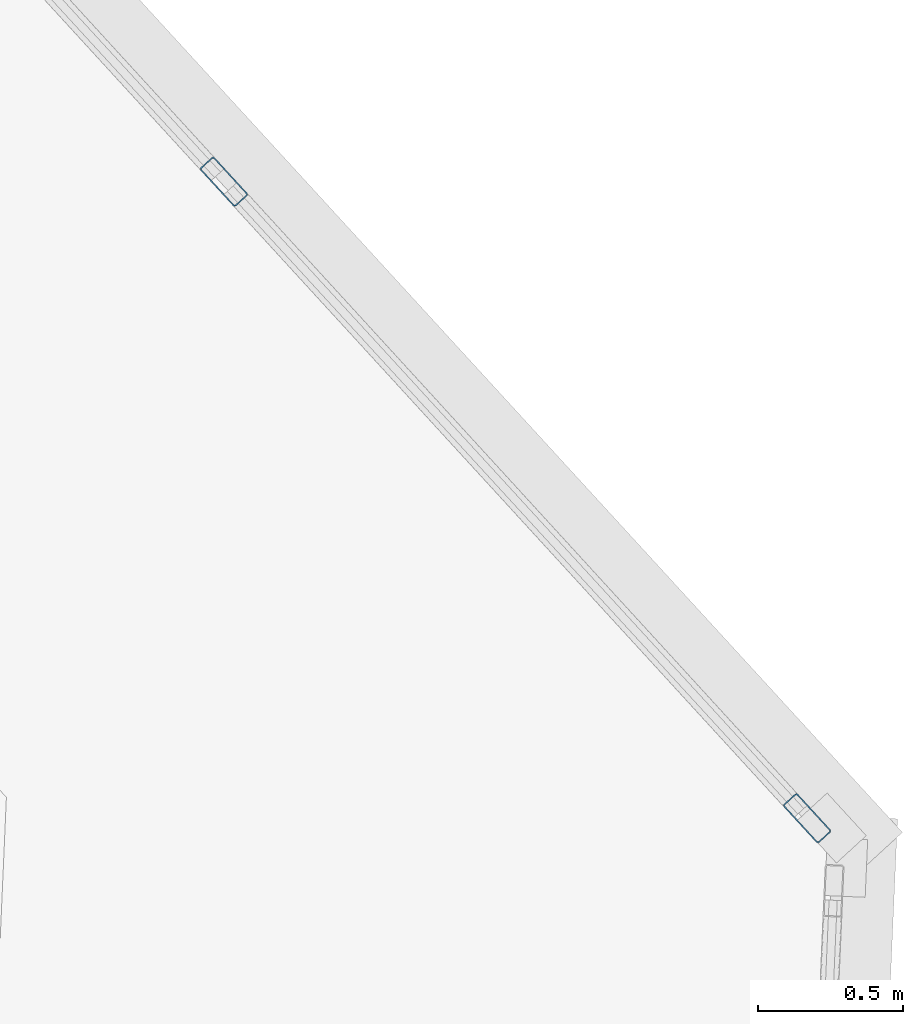
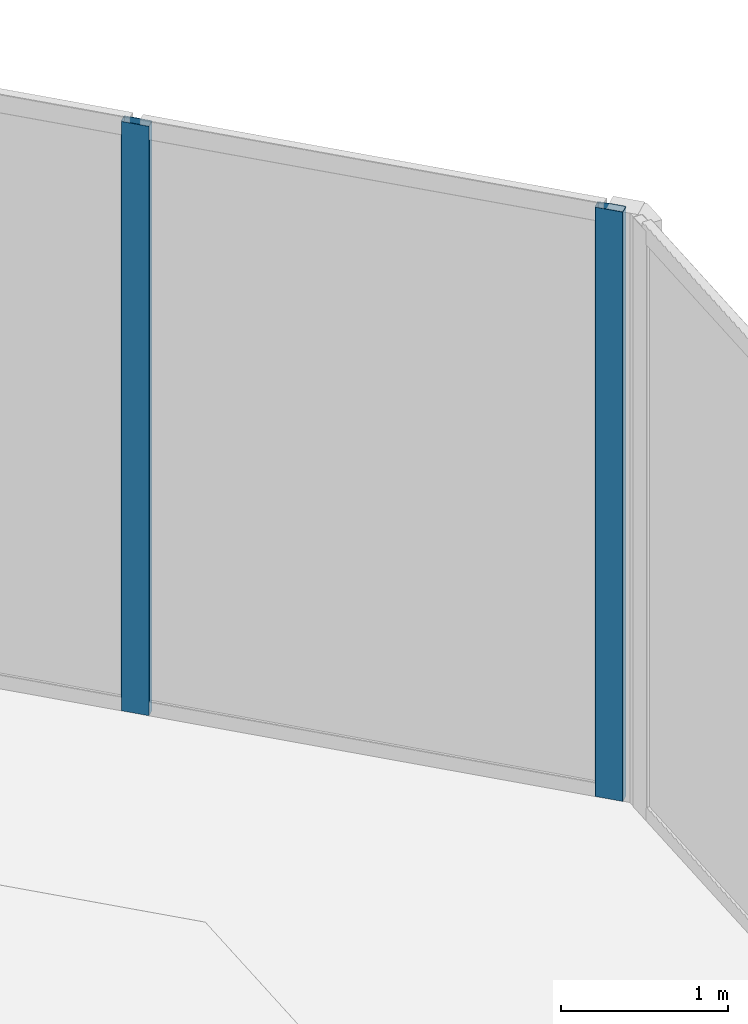
# One storey, part 15 of 26: 2 members, 1 element without a shape of its own.
"""IFC4 building model written with IfcOpenShell, lengths in metres."""

from ifc_helpers import new_model, si_unit, direction, frame, origin, origin_2d, place, context, subcontext, project, spatial, hollow_rectangle, extrude, source, transform, mapped, material, material_profile, profile_set, type_object, element, aggregate, save


model = new_model("IFC4")

# Units and contexts
model_context = context("Model", 3, precision=1e-05, world=origin(), true_north=direction((0.0, 1.0)))
body_context = subcontext(model_context, "Body", "Model", "MODEL_VIEW")
ifc_project = project(units=[si_unit("LENGTHUNIT", "METRE"), si_unit("AREAUNIT", "SQUARE_METRE"), si_unit("VOLUMEUNIT", "CUBIC_METRE"), si_unit("PLANEANGLEUNIT", "RADIAN"), si_unit("MASSUNIT", "GRAM", prefix="KILO")], contexts=[model_context])

# Site, building, storey
site_placement = place(None, origin())
site = spatial("IfcSite", under=ifc_project, at=site_placement, CompositionType="ELEMENT")
building_placement = place(site_placement, origin())
building = spatial("IfcBuilding", under=site, at=building_placement, Name="Torre Montelarca", CompositionType="ELEMENT")
storey_placement = place(building_placement, frame((0.0, 0.0, 42.39990234375)))
storey = spatial("IfcBuildingStorey", under=building, at=storey_placement, Name="L09", CompositionType="ELEMENT", Elevation=42.39990234375)

# Curtain wall, members
ifc_material_1 = material(Name="Insulated low-E laminated glass", Category="glass")
curtain_wall_type = type_object("IfcCurtainWallType", Name="CW-SYS-Z1", PredefinedType="USERDEFINED", material=ifc_material_1)
curtain_wall_placement = place(storey_placement, origin())
curtain_wall = element("IfcCurtainWall", 1, at=curtain_wall_placement, inside=storey, type_object=curtain_wall_type, Name="L09 Curtain Wall Run CW-T3-L09-E07-B1", ObjectType="UNITISED GLAZING", PredefinedType="USERDEFINED")
ifc_material_2 = material(Name="Anodised aluminium AA 6063-T6", Category="aluminium")
ifc_material_profile = material_profile(ifc_material_2, hollow_rectangle(XDim=0.06494140625, YDim=0.179931640625, WallThickness=0.00390625, InnerFilletRadius=0.00390625, OuterFilletRadius=0.008056640625, at=origin_2d()), Name="ALU65X180X4", Category="aluminium")
ifc_profile_set = profile_set([ifc_material_profile], Name="Anodised aluminium AA 6063-T6")
member_type = type_object("IfcMemberType", Name="CWM-ALU180", PredefinedType="MULLION", material=ifc_profile_set)
shared_shape = source(origin(), body_context, "Body", "SweptSolid", [
    extrude(hollow_rectangle(XDim=0.06494140625, YDim=0.179931640625, WallThickness=0.00390625, InnerFilletRadius=0.00390625, OuterFilletRadius=0.008056640625, at=origin_2d()), origin(), (0.0, 0.0, 1.0), 4.320068359375),
])
member_1_placement = place(storey_placement, frame((64.14013671875, 41.897705078125, 0.0), z_axis=(0.0, 0.0, 1.0), x_axis=(-0.737291747736, -0.675574480513, 0.0)))
member_1 = element("IfcMember", 2, at=member_1_placement, type_object=member_type, Name="CW mullion 1", PredefinedType="MULLION", context=body_context, shape_type="MappedRepresentation", body=[
    mapped(shared_shape, transform((0.0, 0.0, 0.0), scale=1.0)),
])
member_2_placement = place(storey_placement, frame((62.12451171875, 44.09765625, 0.0), z_axis=(0.0, 0.0, 1.0), x_axis=(-0.737291747736, -0.675574480513, 0.0)))
member_2 = element("IfcMember", 3, at=member_2_placement, type_object=member_type, Name="CW mullion 2", PredefinedType="MULLION", context=body_context, shape_type="MappedRepresentation", body=[
    mapped(shared_shape, transform((0.0, 0.0, 0.0), scale=1.0)),
])
aggregate(curtain_wall, [member_1, member_2])

save(model, "model.ifc")
